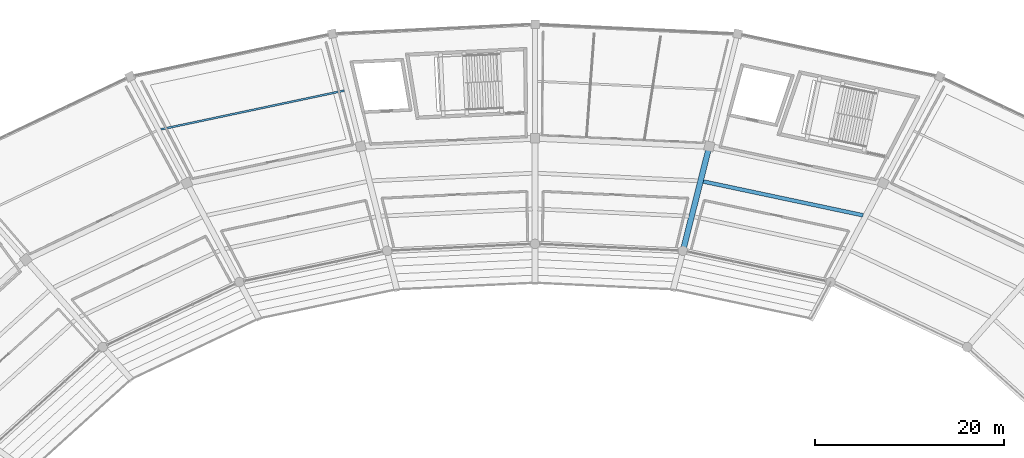
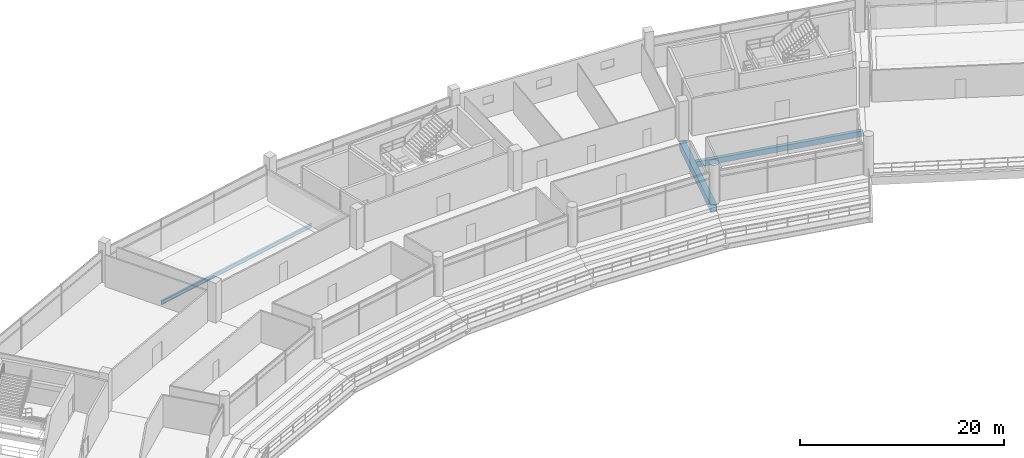
# One storey, part 99 of 171: 3 beams.
"""IFC4 building model written with IfcOpenShell, lengths in metres."""

import ifcopenshell
import ifcopenshell.guid

model = None  # the IFC model being written
_history = None  # IfcOwnerHistory: only IFC2X3 demands one
_inside = {}  # id of a spatial element -> (the spatial element, [elements in it])
_under = {}  # id of a project, library or spatial element -> (it, [spatial elements below it])
_declared = {}  # id of a project -> (the project, [libraries it declares])
_typed = {}  # id of a type object -> (the type object, [elements of that type])
_made_of = {}  # id of a material, layer set ... -> (it, [elements and type objects made of it])


def new_model(schema):
    """Start an empty IFC model of exactly this schema.

    Asked for "IFC4X3", IfcOpenShell would pick the latest addendum, in which some entities
    have other attributes; the version numbers below select the first issue.
    IFC2X3 requires an IfcOwnerHistory on every rooted entity: one is made here for all.
    """
    global model, _history
    if schema == "IFC4X3":
        model = ifcopenshell.file(schema_version=(4, 3, 0, 0))
    else:
        model = ifcopenshell.file(schema=schema)
    _inside.clear()
    _under.clear()
    _declared.clear()
    _typed.clear()
    _made_of.clear()
    _history = None
    if model.schema == "IFC2X3":
        org = make("IfcOrganization", Name="unknown")
        user = make(
            "IfcPersonAndOrganization",
            ThePerson=make("IfcPerson", FamilyName="unknown"),
            TheOrganization=org,
        )
        app = make(
            "IfcApplication",
            ApplicationDeveloper=org,
            Version="unknown",
            ApplicationFullName="unknown",
            ApplicationIdentifier="unknown",
        )
        _history = make(
            "IfcOwnerHistory",
            OwningUser=user,
            OwningApplication=app,
            ChangeAction="ADDED",
            CreationDate=0,
        )
    return model


def make(cls, **values):
    """One entity of the class cls with the attributes given. An attribute that is None is left unset."""
    return model.create_entity(
        cls, **{name: value for name, value in values.items() if value is not None}
    )


def rooted(cls, **values):
    """An entity with a GlobalId (a new one), such as an element, a storey or a relation."""
    return make(cls, GlobalId=ifcopenshell.guid.new(), OwnerHistory=_history, **values)


def si_unit(unit_type, name, prefix=None):
    """IfcSIUnit, for example si_unit("LENGTHUNIT", "METRE", prefix="MILLI")."""
    return make("IfcSIUnit", UnitType=unit_type, Prefix=prefix, Name=name)


def assignment(units):
    """IfcUnitAssignment: the units of a project."""
    return None if units is None else make("IfcUnitAssignment", Units=units)


def point(xyz):
    """IfcCartesianPoint."""
    return None if xyz is None else make("IfcCartesianPoint", Coordinates=xyz)


def direction(xyz):
    """IfcDirection."""
    return None if xyz is None else make("IfcDirection", DirectionRatios=xyz)


def frame(location, z_axis=None, x_axis=None):
    """IfcAxis2Placement3D, a coordinate frame: its origin and axes. An axis left out is left unset."""
    return make(
        "IfcAxis2Placement3D",
        Location=point(location),
        Axis=direction(z_axis),
        RefDirection=direction(x_axis),
    )


def frame_2d(location, x_axis=None):
    """IfcAxis2Placement2D, a coordinate frame in the plane: its origin and x axis."""
    return make(
        "IfcAxis2Placement2D", Location=point(location), RefDirection=direction(x_axis)
    )


def origin():
    """The frame at (0, 0, 0) with its axes left unset."""
    return frame((0.0, 0.0, 0.0))


def origin_2d():
    """The frame at (0, 0) in the plane with its x axis left unset."""
    return frame_2d((0.0, 0.0))


def place(relative_to, where):
    """IfcLocalPlacement: puts the frame where relative to a parent placement (None: the world)."""
    return make(
        "IfcLocalPlacement", PlacementRelTo=relative_to, RelativePlacement=where
    )


def context(
    kind, dimensions, precision=None, world=None, true_north=None, identifier=None
):
    """IfcGeometricRepresentationContext, for example the 3D "Model" context."""
    return make(
        "IfcGeometricRepresentationContext",
        ContextIdentifier=identifier,
        ContextType=kind,
        CoordinateSpaceDimension=dimensions,
        Precision=precision,
        WorldCoordinateSystem=world,
        TrueNorth=true_north,
    )


def subcontext(parent, identifier, kind, view, scale=None):
    """IfcGeometricRepresentationSubContext, for example "Body" below "Model"."""
    return make(
        "IfcGeometricRepresentationSubContext",
        ContextIdentifier=identifier,
        ContextType=kind,
        ParentContext=parent,
        TargetScale=scale,
        TargetView=view,
    )


def project(units=None, contexts=None):
    """IfcProject with its units and contexts."""
    return rooted(
        "IfcProject",
        Name="project",
        RepresentationContexts=contexts,
        UnitsInContext=assignment(units),
    )


def spatial(cls, under=None, at=None, **own):
    """A site, building, storey or space (cls), placed at a placement, below another one or the project."""
    s = rooted(cls, ObjectPlacement=at, **own)
    if under is not None:
        _under.setdefault(under.id(), (under, []))[1].append(s)
    return s


def profile(cls, at=None, kind="AREA", **sizes):
    """A parametric profile (cls). Its sizes go by their IFC names, for example OverallWidth=200.0."""
    return make(cls, ProfileType=kind, Position=at, **sizes)


def rectangle(**sizes):
    """IfcRectangleProfileDef."""
    return profile("IfcRectangleProfileDef", **sizes)


def i_section(**sizes):
    """IfcIShapeProfileDef."""
    return profile("IfcIShapeProfileDef", **sizes)


def extrude(swept, where, along, depth):
    """IfcExtrudedAreaSolid: the profile swept, set in the frame where, extruded along a direction by depth."""
    return make(
        "IfcExtrudedAreaSolid",
        SweptArea=swept,
        Position=where,
        ExtrudedDirection=direction(along),
        Depth=depth,
    )


def shape(context_of_items, identifier, shape_type, items):
    """IfcShapeRepresentation: the items that make up one representation, for example the "Body"."""
    return make(
        "IfcShapeRepresentation",
        ContextOfItems=context_of_items,
        RepresentationIdentifier=identifier,
        RepresentationType=shape_type,
        Items=items,
    )


def material(Name=None, Category=None):
    """IfcMaterial."""
    return make("IfcMaterial", Name=Name, Category=Category)


def material_profile(
    of_material, cross_section, Name=None, Category=None, Priority=None
):
    """IfcMaterialProfile: a cross section and its material."""
    return make(
        "IfcMaterialProfile",
        Name=Name,
        Material=of_material,
        Profile=cross_section,
        Priority=Priority,
        Category=Category,
    )


def profile_set(profiles, Name=None, composite=None):
    """IfcMaterialProfileSet."""
    return make(
        "IfcMaterialProfileSet",
        Name=Name,
        MaterialProfiles=profiles,
        CompositeProfile=composite,
    )


def made_of(thing, what):
    """Note that an element or type object is made of a material, layer set ...; save() writes the relation."""
    if what is not None:
        _made_of.setdefault(what.id(), (what, []))[1].append(thing)
    return thing


def type_object(cls, material=None, **own):
    """A type object (cls), such as IfcWallType, which elements share."""
    return made_of(rooted(cls, **own), material)


def element(
    cls,
    number,
    at=None,
    inside=None,
    cuts=None,
    type_object=None,
    material=None,
    context=None,
    identifier="Body",
    shape_type=None,
    held_by="IfcProductDefinitionShape",
    body=None,
    shapes=None,
    **own,
):
    """One element of the class cls, such as IfcWall. Its Tag is "e" and its number.

    at: its placement. inside: the storey or other place that contains it. cuts: it is an
    opening in that element (IfcRelVoidsElement). A single representation is given by context,
    identifier, shape_type and body (its items); several are given by shapes. held_by: the class
    of the entity that holds the representations. save() writes the other relations.
    """
    e = rooted(cls, Tag="e%d" % number, ObjectPlacement=at, **own)
    if body is not None:
        shapes = [shape(context, identifier, shape_type, body)]
    if shapes is not None:
        e.Representation = make(held_by, Representations=shapes)
    if inside is not None:
        _inside.setdefault(inside.id(), (inside, []))[1].append(e)
    if cuts is not None:
        rooted(
            "IfcRelVoidsElement", RelatingBuildingElement=cuts, RelatedOpeningElement=e
        )
    if type_object is not None:
        _typed.setdefault(type_object.id(), (type_object, []))[1].append(e)
    return made_of(e, material)


def aggregate(whole, parts):
    """IfcRelAggregates: a whole, such as a stair, and the parts it consists of."""
    return rooted("IfcRelAggregates", RelatingObject=whole, RelatedObjects=parts)


def save(model, path):
    """Write the relations noted so far, then the file.

    IfcRelAggregates (storeys below a building ...), IfcRelContainedInSpatialStructure (elements
    in a storey), IfcRelDefinesByType, IfcRelAssociatesMaterial and IfcRelDeclares: one each for
    every whole, place, type object, material and project.
    """
    for whole, parts in _under.values():
        aggregate(whole, parts)
    for where, things in _inside.values():
        rooted(
            "IfcRelContainedInSpatialStructure",
            RelatedElements=things,
            RelatingStructure=where,
        )
    for kind, things in _typed.values():
        rooted("IfcRelDefinesByType", RelatedObjects=things, RelatingType=kind)
    for what, things in _made_of.values():
        rooted("IfcRelAssociatesMaterial", RelatedObjects=things, RelatingMaterial=what)
    for by, libraries in _declared.values():
        rooted("IfcRelDeclares", RelatingContext=by, RelatedDefinitions=libraries)
    model.write(path)


model = new_model("IFC4")

# Units and contexts
model_context = context("Model", 3, precision=1e-05, world=origin(), true_north=direction((0.0, 1.0)))
body_context = subcontext(model_context, "Body", "Model", "MODEL_VIEW")
ifc_project = project(units=[si_unit("LENGTHUNIT", "METRE"), si_unit("AREAUNIT", "SQUARE_METRE"), si_unit("VOLUMEUNIT", "CUBIC_METRE"), si_unit("PLANEANGLEUNIT", "RADIAN"), si_unit("MASSUNIT", "GRAM", prefix="KILO")], contexts=[model_context])

# Site, building, storey
site_placement = place(None, origin())
site = spatial("IfcSite", under=ifc_project, at=site_placement, CompositionType="ELEMENT")
building_placement = place(site_placement, origin())
building = spatial("IfcBuilding", under=site, at=building_placement, Name="Kazemori Nagisa Stadium", CompositionType="ELEMENT")
storey_placement = place(building_placement, frame((0.0, 0.0, 15.639892578125)))
storey = spatial("IfcBuildingStorey", under=building, at=storey_placement, Name="L03", CompositionType="ELEMENT", Elevation=15.639892578125)

# Beams
ifc_material_1 = material(Name="Concrete C40/50 (Fc42)", Category="concrete")
ifc_material_profile_1 = material_profile(ifc_material_1, rectangle(XDim=0.60009765625, YDim=0.949951171875, at=origin_2d()), Name="RC-BM-600x950")
ifc_profile_set_1 = profile_set([ifc_material_profile_1], Name="Concrete C40/50 (Fc42)")
beam_type_1 = type_object("IfcBeamType", Name="Beam_BG-RC600X950", PredefinedType="BEAM", material=ifc_profile_set_1)
beam_1_placement = place(storey_placement, frame((138.64208984375, 164.040283203125, -0.73486328125), z_axis=(0.244481205955, 0.969654031052, 0.0), x_axis=(-0.969654031052, 0.244481205955, 0.0)))
element("IfcBeam", 1, at=beam_1_placement, inside=storey, type_object=beam_type_1, Name="Radial girder BG-RC600X950 L03 R1-R2-07", PredefinedType="BEAM", context=body_context, shape_type="SweptSolid", body=[
    extrude(rectangle(XDim=0.60009765625, YDim=0.949951171875, at=origin_2d()), origin(), (0.0, 0.0, 1.0), 11.39404296875),
])
ifc_material_2 = material(Name="Steel SN490B", Category="steel")
ifc_material_profile_2 = material_profile(ifc_material_2, i_section(OverallWidth=0.199951171875, OverallDepth=0.449951171875, WebThickness=0.009033203125, FlangeThickness=0.013916015625, FilletRadius=0.012939453125, at=origin_2d()), Name="H-450x200x9x14")
ifc_profile_set_2 = profile_set([ifc_material_profile_2], Name="Steel SN490B")
beam_type_2 = type_object("IfcBeamType", Name="Beam_BJ-H450", PredefinedType="JOIST", material=ifc_profile_set_2)
beam_2_placement = place(storey_placement, frame((102.83251953125, 180.987060546875, -0.48486328125), z_axis=(-0.978345532316, -0.206978306584, 0.0), x_axis=(0.206978306584, -0.978345532316, 0.0)))
element("IfcBeam", 2, at=beam_2_placement, inside=storey, type_object=beam_type_2, Name="Outer bay joist BJ-H450 L03 B09", PredefinedType="JOIST", context=body_context, shape_type="SweptSolid", body=[
    extrude(i_section(OverallWidth=0.199951171875, OverallDepth=0.449951171875, WebThickness=0.009033203125, FlangeThickness=0.013916015625, FilletRadius=0.012939453125, at=origin_2d()), origin(), (0.0, 0.0, 1.0), 19.83056640625),
])
ifc_material_profile_3 = material_profile(ifc_material_1, rectangle(XDim=0.39990234375, YDim=0.64990234375, at=origin_2d()), Name="RC-BM-400x650")
ifc_profile_set_3 = profile_set([ifc_material_profile_3], Name="Concrete C40/50 (Fc42)")
beam_type_3 = type_object("IfcBeamType", Name="Beam_BJ-RC400X650", PredefinedType="JOIST", material=ifc_profile_set_3)
beam_3_placement = place(storey_placement, frame((157.682861328125, 167.80029296875, -0.5849609375), z_axis=(-0.97834325925, 0.206989050628, 0.0), x_axis=(-0.206989050628, -0.97834325925, 0.0)))
element("IfcBeam", 3, at=beam_3_placement, inside=storey, type_object=beam_type_3, Name="Concourse joist BJ-RC400X650 L03 B06-2", PredefinedType="JOIST", context=body_context, shape_type="SweptSolid", body=[
    extrude(rectangle(XDim=0.39990234375, YDim=0.64990234375, at=origin_2d()), origin(), (0.0, 0.0, 1.0), 17.26171875),
])

save(model, "model.ifc")
